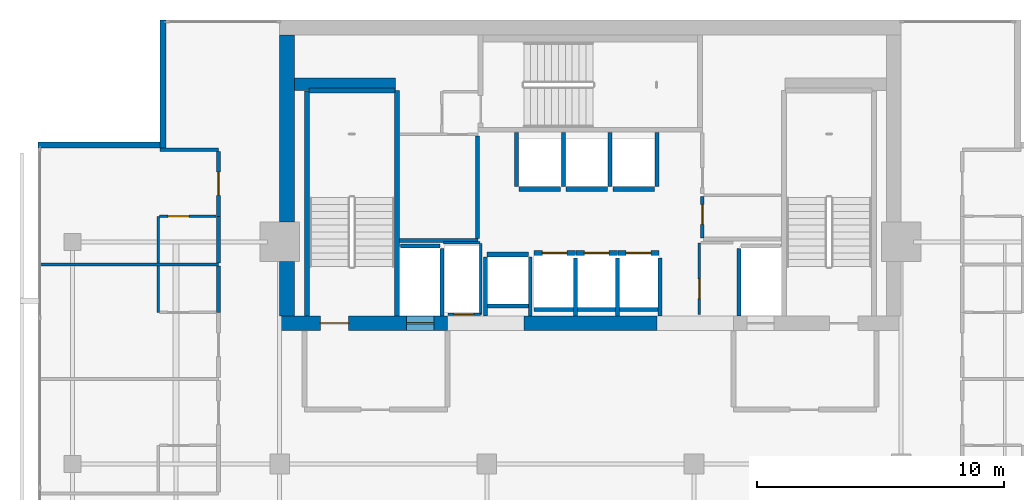
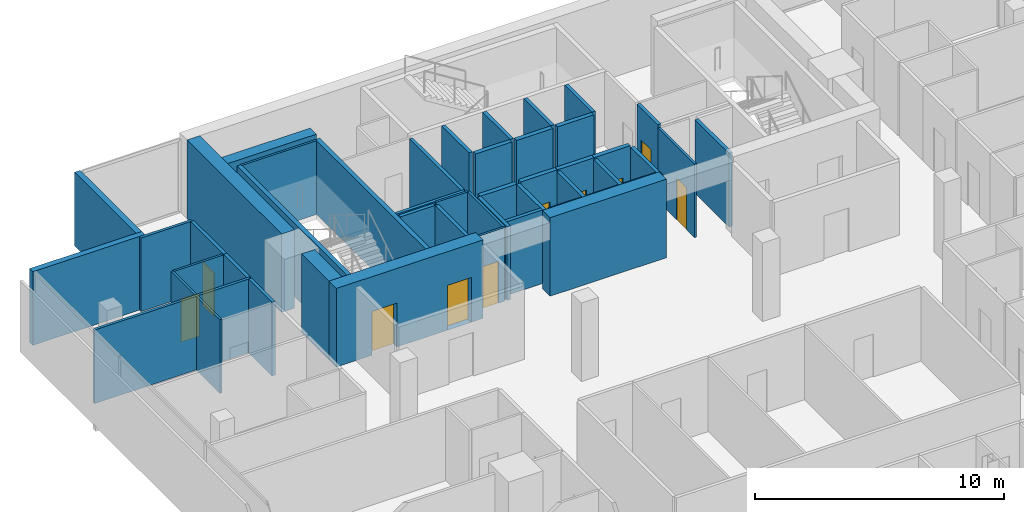
# One storey, part 22 of 26: 46 walls, 10 doors, 10 openings.
"""IFC4 building model written with IfcOpenShell, lengths in metres."""

from ifc_helpers import new_model, si_unit, direction, frame, frame_2d, origin, place, context, subcontext, project, spatial, rectangle, extrude, material, layer, layer_set, type_object, element, fill, save


model = new_model("IFC4")

# Units and contexts
model_context = context("Model", 3, precision=1e-05, world=origin(), true_north=direction((0.0, 1.0)))
body_context = subcontext(model_context, "Body", "Model", "MODEL_VIEW")
ifc_project = project(units=[si_unit("LENGTHUNIT", "METRE"), si_unit("AREAUNIT", "SQUARE_METRE"), si_unit("VOLUMEUNIT", "CUBIC_METRE"), si_unit("PLANEANGLEUNIT", "RADIAN"), si_unit("MASSUNIT", "GRAM", prefix="KILO")], contexts=[model_context])

# Site, building, storey
site_placement = place(None, origin())
site = spatial("IfcSite", under=ifc_project, at=site_placement, CompositionType="ELEMENT")
building_placement = place(site_placement, origin())
building = spatial("IfcBuilding", under=site, at=building_placement, Name="Maruvema Waterfront Hotel and Observation Tower", CompositionType="ELEMENT")
storey_placement = place(building_placement, frame((0.0, 0.0, 285.60009765625)))
storey = spatial("IfcBuildingStorey", under=building, at=storey_placement, Name="L70", CompositionType="ELEMENT", Elevation=285.60009765625)

# Walls
ifc_material_1 = material(Name="Twin-stud acoustic gypsum drywall", Category="gypsum")
ifc_layer_1 = layer(ifc_material_1, 0.14990234375, Name="Acoustic Corridor and Suite Demising Wall 150 mm")
ifc_layer_set_1 = layer_set([ifc_layer_1], Name="Twin-stud acoustic gypsum drywall")
wall_type_1 = type_object("IfcWallType", Name="Acoustic Corridor and Suite Demising Wall 150 mm", PredefinedType="PARTITIONING", material=ifc_layer_set_1)
wall_1_placement = place(storey_placement, frame((30.06005859375, 45.06005859375, 0.0), z_axis=(0.0, 0.0, 1.0), x_axis=(1.0, 0.0, 0.0)))
element("IfcWall", 1, at=wall_1_placement, inside=storey, type_object=wall_type_1, Name="L70 Freed B1 South Wall 012", PredefinedType="PARTITIONING", context=body_context, shape_type="SweptSolid", body=[
    extrude(rectangle(XDim=3.179931640625, YDim=0.14990234375, at=frame_2d((1.58984375, 0.0))), origin(), (0.0, 0.0, 1.0), 3.60986328125),
])
wall_2_placement = place(storey_placement, frame((33.219970703125, 45.139892578125, 0.0), z_axis=(0.0, 0.0, 1.0), x_axis=(0.0, 1.0, 0.0)))
element("IfcWall", 2, at=wall_2_placement, inside=storey, type_object=wall_type_1, Name="L70 Freed B1 East Wall 013", PredefinedType="PARTITIONING", context=body_context, shape_type="SweptSolid", body=[
    extrude(rectangle(XDim=4.16015625, YDim=0.14990234375, at=frame_2d((2.080078125, 0.0))), origin(), (0.0, 0.0, 1.0), 3.60986328125),
])

# Wall, opening, door
wall_3_placement = place(storey_placement, frame((42.340087890625, 45.159912109375, 0.0), z_axis=(0.0, 0.0, 1.0), x_axis=(0.0, 1.0, 0.0)))
wall_3 = element("IfcWall", 3, at=wall_3_placement, inside=storey, type_object=wall_type_1, Name="L70 Freed B2 West S 017", PredefinedType="PARTITIONING", context=body_context, shape_type="SweptSolid", body=[
    extrude(rectangle(XDim=1.68017578125, YDim=0.14990234375, at=frame_2d((0.840087890625, 0.0))), origin(), (0.0, 0.0, 1.0), 3.60986328125),
])
opening_1_placement = place(wall_3_placement, frame((0.550048828125, 0.0, 0.0)))
opening_1 = element("IfcOpeningElement", 4, at=opening_1_placement, cuts=wall_3, Name="Opening DR-080", PredefinedType="OPENING", context=body_context, shape_type="SweptSolid", body=[
    extrude(rectangle(XDim=0.800048828125, YDim=2.050048828125, at=frame_2d((0.39990234375, 1.02490234375))), frame((0.0, 0.0849609375, 0.0), z_axis=(0.0, -1.0, 0.0), x_axis=(1.0, 0.0, 0.0)), (0.0, 0.0, 1.0), 0.169921875),
])
ifc_material_2 = material(Name="Powder-coated steel access leaf", Category="steel")
door_type_1 = type_object("IfcDoorType", Name="Riser and Service Cupboard Door 800x2050 mm", OperationType="NOTDEFINED", PredefinedType="DOOR", material=ifc_material_2)
door_1_placement = place(opening_1_placement, frame((0.800048828125, 0.0, 0.0), z_axis=(0.0, 0.0, 1.0), x_axis=(-1.0, 0.0, 0.0)))
door_1 = element("IfcDoor", 5, at=door_1_placement, inside=storey, type_object=door_type_1, Name="L70 Butler Service Pantry Door", OperationType="SINGLE_SWING_RIGHT", OverallHeight=2.050048828125, OverallWidth=0.800048828125, PredefinedType="DOOR", context=body_context, shape_type="SweptSolid", body=[
    extrude(rectangle(XDim=0.800048828125, YDim=2.050048828125, at=frame_2d((0.39990234375, 1.02490234375))), frame((0.0, 0.02490234375, 0.0), z_axis=(0.0, -1.0, 0.0), x_axis=(1.0, 0.0, 0.0)), (0.0, 0.0, 1.0), 0.050048828125),
])
fill(opening_1, door_1)

# Walls
for number, where, z_axis, x_axis, name in (
    (6, (22.719970703125, 42.1416015625, 0.0), (0.0, 0.0, 1.0), (0.0, 1.0, 0.0), "L70 Bath L70-NW2 Wall 098"),
    (7, (22.719970703125, 44.151611328125, 0.0), (0.0, 0.0, 1.0), (0.0, 1.0, 0.0), "L70 Bath L70-NW3 Wall 107"),
):
    element("IfcWall", number, at=place(storey_placement, frame(where, z_axis=z_axis, x_axis=x_axis)), inside=storey, type_object=wall_type_1, Name=name, PredefinedType="PARTITIONING", context=body_context, shape_type="SweptSolid", body=[
        extrude(rectangle(XDim=1.89013671875, YDim=0.14990234375, at=frame_2d((0.945068359375, 0.0))), origin(), (0.0, 0.0, 1.0), 3.60986328125),
    ])

# Wall, opening, door
wall_4_placement = place(storey_placement, frame((22.719970703125, 46.041748046875, 0.0), z_axis=(0.0, 0.0, 1.0), x_axis=(0.0, 1.0, 0.0)))
wall_4 = element("IfcWall", 8, at=wall_4_placement, inside=storey, type_object=wall_type_1, Name="L70 Room L70-NW3 Corridor Wall 108", PredefinedType="PARTITIONING", context=body_context, shape_type="SweptSolid", body=[
    extrude(rectangle(XDim=2.6357421875, YDim=0.14990234375, at=frame_2d((1.31787109375, 0.0))), origin(), (0.0, 0.0, 1.0), 3.60986328125),
])
opening_2_placement = place(wall_4_placement, frame((0.843017578125, 0.0, 0.0)))
opening_2 = element("IfcOpeningElement", 9, at=opening_2_placement, cuts=wall_4, Name="Opening DR-095", PredefinedType="OPENING", context=body_context, shape_type="SweptSolid", body=[
    extrude(rectangle(XDim=0.949951171875, YDim=2.14990234375, at=frame_2d((0.47509765625, 1.074951171875))), frame((0.0, 0.0849609375, 0.0), z_axis=(0.0, -1.0, 0.0), x_axis=(1.0, 0.0, 0.0)), (0.0, 0.0, 1.0), 0.169921875),
])
ifc_material_3 = material(Name="Acoustic solid-core hardwood timber leaf", Category="wood")
door_type_2 = type_object("IfcDoorType", Name="Guestroom Entrance Fire Door 950x2150 mm", OperationType="NOTDEFINED", PredefinedType="DOOR", material=ifc_material_3)
door_2_placement = place(opening_2_placement, origin())
door_2 = element("IfcDoor", 10, at=door_2_placement, inside=storey, type_object=door_type_2, Name="L70 Room L70-NW3 Entrance Door", OperationType="SINGLE_SWING_LEFT", OverallHeight=2.14990234375, OverallWidth=0.949951171875, PredefinedType="DOOR", context=body_context, shape_type="SweptSolid", body=[
    extrude(rectangle(XDim=0.949951171875, YDim=2.14990234375, at=frame_2d((0.47509765625, 1.074951171875))), frame((0.0, 0.02490234375, 0.0), z_axis=(0.0, -1.0, 0.0), x_axis=(1.0, 0.0, 0.0)), (0.0, 0.0, 1.0), 0.050048828125),
])
fill(opening_2, door_2)

# Walls
ifc_material_4 = material(Name="Precast concrete C45/55", Category="concrete")
ifc_layer_2 = layer(ifc_material_4, 0.199951171875, Name="Core Shaft and Stairwell Enclosure Wall 200 mm")
ifc_layer_set_2 = layer_set([ifc_layer_2], Name="Precast concrete C45/55")
wall_type_2 = type_object("IfcWallType", Name="Core Shaft and Stairwell Enclosure Wall 200 mm", PredefinedType="SOLIDWALL", material=ifc_layer_set_2)
wall_5_placement = place(storey_placement, frame((29.949951171875, 42.0, 0.0), z_axis=(0.0, 0.0, 1.0), x_axis=(0.0, 1.0, 0.0)))
element("IfcWall", 11, at=wall_5_placement, inside=storey, type_object=wall_type_2, Name="L70 Stairwell ST-01 East Shaft Wall", PredefinedType="SOLIDWALL", context=body_context, shape_type="SweptSolid", body=[
    extrude(rectangle(XDim=9.14990234375, YDim=0.199951171875, at=frame_2d((4.574951171875, 0.0))), origin(), (0.0, 0.0, 1.0), 3.60986328125),
])
wall_6_placement = place(storey_placement, frame((26.300048828125, 42.0, 0.0), z_axis=(0.0, 0.0, 1.0), x_axis=(0.0, 1.0, 0.0)))
element("IfcWall", 12, at=wall_6_placement, inside=storey, type_object=wall_type_2, Name="L70 Stairwell ST-01 Shaft Lining Wall", PredefinedType="SOLIDWALL", context=body_context, shape_type="SweptSolid", body=[
    extrude(rectangle(XDim=9.1201171875, YDim=0.199951171875, at=frame_2d((4.56005859375, 0.0))), origin(), (0.0, 0.0, 1.0), 3.60986328125),
])
wall_7_placement = place(storey_placement, frame((26.3798828125, 51.14990234375, 0.0), z_axis=(0.0, 0.0, 1.0), x_axis=(1.0, 0.0, 0.0)))
element("IfcWall", 13, at=wall_7_placement, inside=storey, type_object=wall_type_2, Name="L70 Stairwell ST-01 Shaft Lining Wall", PredefinedType="SOLIDWALL", context=body_context, shape_type="SweptSolid", body=[
    extrude(rectangle(XDim=3.5, YDim=0.199951171875, at=frame_2d((1.75, 0.0))), origin(), (0.0, 0.0, 1.0), 3.60986328125),
])

# Wall, opening, door
wall_8_placement = place(storey_placement, frame((35.510009765625, 44.550048828125, 0.0), z_axis=(0.0, 0.0, 1.0), x_axis=(1.0, 0.0, 0.0)))
wall_8 = element("IfcWall", 14, at=wall_8_placement, inside=storey, type_object=wall_type_2, Name="L70 Lift LF-09 Hoistway Front Wall", PredefinedType="SOLIDWALL", context=body_context, shape_type="SweptSolid", body=[
    extrude(rectangle(XDim=1.679931640625, YDim=0.199951171875, at=frame_2d((0.83984375, 0.0))), origin(), (0.0, 0.0, 1.0), 3.60986328125),
])
opening_3_placement = place(wall_8_placement, frame((0.340087890625, 0.0, 0.0)))
opening_3 = element("IfcOpeningElement", 15, at=opening_3_placement, cuts=wall_8, Name="Opening LD-01", PredefinedType="OPENING", context=body_context, shape_type="SweptSolid", body=[
    extrude(rectangle(XDim=1.0, YDim=2.14990234375, at=frame_2d((0.5, 1.074951171875))), frame((0.0, 0.10986328125, 0.0), z_axis=(0.0, -1.0, 0.0), x_axis=(1.0, 0.0, 0.0)), (0.0, 0.0, 1.0), 0.219970703125),
])
ifc_material_5 = material(Name="Brushed stainless steel Grade 316", Category="steel")
door_type_3 = type_object("IfcDoorType", Name="Passenger Lift Sliding Landing Door 1000x2150 mm", OperationType="SLIDING_TO_LEFT", PredefinedType="DOOR", material=ifc_material_5)
door_3_placement = place(opening_3_placement, origin())
door_3 = element("IfcDoor", 16, at=door_3_placement, inside=storey, type_object=door_type_3, Name="L70 Lift LF-09 Sliding Landing Door", OperationType="SLIDING_TO_LEFT", OverallHeight=2.14990234375, OverallWidth=1.0, PredefinedType="DOOR", context=body_context, shape_type="SweptSolid", body=[
    extrude(rectangle(XDim=1.0, YDim=2.14990234375, at=frame_2d((0.5, 1.074951171875))), frame((0.0, 0.02490234375, 0.0), z_axis=(0.0, -1.0, 0.0), x_axis=(1.0, 0.0, 0.0)), (0.0, 0.0, 1.0), 0.050048828125),
])
fill(opening_3, door_3)

wall_9_placement = place(storey_placement, frame((37.2099609375, 44.550048828125, 0.0), z_axis=(0.0, 0.0, 1.0), x_axis=(1.0, 0.0, 0.0)))
wall_9 = element("IfcWall", 17, at=wall_9_placement, inside=storey, type_object=wall_type_2, Name="L70 Lift LF-10 Hoistway Front Wall", PredefinedType="SOLIDWALL", context=body_context, shape_type="SweptSolid", body=[
    extrude(rectangle(XDim=1.679931640625, YDim=0.199951171875, at=frame_2d((0.83984375, 0.0))), origin(), (0.0, 0.0, 1.0), 3.60986328125),
])
opening_4_placement = place(wall_9_placement, frame((0.340087890625, 0.0, 0.0)))
opening_4 = element("IfcOpeningElement", 18, at=opening_4_placement, cuts=wall_9, Name="Opening LD-01", PredefinedType="OPENING", context=body_context, shape_type="SweptSolid", body=[
    extrude(rectangle(XDim=1.0, YDim=2.14990234375, at=frame_2d((0.5, 1.074951171875))), frame((0.0, 0.10986328125, 0.0), z_axis=(0.0, -1.0, 0.0), x_axis=(1.0, 0.0, 0.0)), (0.0, 0.0, 1.0), 0.219970703125),
])
door_4_placement = place(opening_4_placement, origin())
door_4 = element("IfcDoor", 19, at=door_4_placement, inside=storey, type_object=door_type_3, Name="L70 Lift LF-10 Sliding Landing Door", OperationType="SLIDING_TO_LEFT", OverallHeight=2.14990234375, OverallWidth=1.0, PredefinedType="DOOR", context=body_context, shape_type="SweptSolid", body=[
    extrude(rectangle(XDim=1.0, YDim=2.14990234375, at=frame_2d((0.5, 1.074951171875))), frame((0.0, 0.02490234375, 0.0), z_axis=(0.0, -1.0, 0.0), x_axis=(1.0, 0.0, 0.0)), (0.0, 0.0, 1.0), 0.050048828125),
])
fill(opening_4, door_4)

wall_10_placement = place(storey_placement, frame((38.909912109375, 44.550048828125, 0.0), z_axis=(0.0, 0.0, 1.0), x_axis=(1.0, 0.0, 0.0)))
wall_10 = element("IfcWall", 20, at=wall_10_placement, inside=storey, type_object=wall_type_2, Name="L70 Lift LF-11 Hoistway Front Wall", PredefinedType="SOLIDWALL", context=body_context, shape_type="SweptSolid", body=[
    extrude(rectangle(XDim=1.68017578125, YDim=0.199951171875, at=frame_2d((0.840087890625, 0.0))), origin(), (0.0, 0.0, 1.0), 3.60986328125),
])
opening_5_placement = place(wall_10_placement, frame((0.340087890625, 0.0, 0.0)))
opening_5 = element("IfcOpeningElement", 21, at=opening_5_placement, cuts=wall_10, Name="Opening LD-01", PredefinedType="OPENING", context=body_context, shape_type="SweptSolid", body=[
    extrude(rectangle(XDim=1.0, YDim=2.14990234375, at=frame_2d((0.5, 1.074951171875))), frame((0.0, 0.10986328125, 0.0), z_axis=(0.0, -1.0, 0.0), x_axis=(1.0, 0.0, 0.0)), (0.0, 0.0, 1.0), 0.219970703125),
])
door_5_placement = place(opening_5_placement, origin())
door_5 = element("IfcDoor", 22, at=door_5_placement, inside=storey, type_object=door_type_3, Name="L70 Lift LF-11 Sliding Landing Door", OperationType="SLIDING_TO_LEFT", OverallHeight=2.14990234375, OverallWidth=1.0, PredefinedType="DOOR", context=body_context, shape_type="SweptSolid", body=[
    extrude(rectangle(XDim=1.0, YDim=2.14990234375, at=frame_2d((0.5, 1.074951171875))), frame((0.0, 0.02490234375, 0.0), z_axis=(0.0, -1.0, 0.0), x_axis=(1.0, 0.0, 0.0)), (0.0, 0.0, 1.0), 0.050048828125),
])
fill(opening_5, door_5)

# Walls
wall_11_placement = place(storey_placement, frame((34.909912109375, 47.14990234375, 0.0), z_axis=(0.0, 0.0, 1.0), x_axis=(1.0, 0.0, 0.0)))
element("IfcWall", 23, at=wall_11_placement, inside=storey, type_object=wall_type_2, Name="L70 Lift LF-12 Hoistway Front Wall", PredefinedType="SOLIDWALL", context=body_context, shape_type="SweptSolid", body=[
    extrude(rectangle(XDim=1.68017578125, YDim=0.199951171875, at=frame_2d((0.840087890625, 0.0))), origin(), (0.0, 0.0, 1.0), 3.60986328125),
])
for number, where, z_axis, x_axis, name in (
    (24, (36.81005859375, 47.14990234375, 0.0), (0.0, 0.0, 1.0), (1.0, 0.0, 0.0), "L70 Lift LF-13 Hoistway Front Wall"),
    (25, (38.7099609375, 47.14990234375, 0.0), (0.0, 0.0, 1.0), (1.0, 0.0, 0.0), "L70 Lift LF-14 Hoistway Front Wall"),
    (26, (33.610107421875, 44.5, 0.0), (0.0, 0.0, 1.0), (1.0, 0.0, 0.0), "L70 Lift LF-15 Hoistway Front Wall"),
):
    element("IfcWall", number, at=place(storey_placement, frame(where, z_axis=z_axis, x_axis=x_axis)), inside=storey, type_object=wall_type_2, Name=name, PredefinedType="SOLIDWALL", context=body_context, shape_type="SweptSolid", body=[
        extrude(rectangle(XDim=1.679931640625, YDim=0.199951171875, at=frame_2d((0.83984375, 0.0))), origin(), (0.0, 0.0, 1.0), 3.60986328125),
    ])
ifc_material_6 = material(Name="Concrete C70/85", Category="concrete")
ifc_layer_3 = layer(ifc_material_6, 0.5, Name="Core Shear Wall 500 mm")
ifc_layer_set_3 = layer_set([ifc_layer_3], Name="Concrete C70/85")
wall_type_3 = type_object("IfcWallType", Name="Core Shear Wall 500 mm", PredefinedType="SHEAR", material=ifc_layer_set_3)
wall_12_placement = place(storey_placement, frame((25.800048828125, 51.39990234375, 0.0), z_axis=(0.0, 0.0, 1.0), x_axis=(1.0, 0.0, 0.0)))
element("IfcWall", 27, at=wall_12_placement, inside=storey, type_object=wall_type_3, Name="L70 Internal Core Shear Wall NW 500 mm", PredefinedType="SHEAR", context=body_context, shape_type="SweptSolid", body=[
    extrude(rectangle(XDim=4.099853515625, YDim=0.5, at=frame_2d((2.0498046875, 0.0))), origin(), (0.0, 0.0, 1.0), 3.849853515625),
])

# Wall, openings, doors
ifc_material_7 = material(Name="Concrete C60/75", Category="concrete")
ifc_layer_4 = layer(ifc_material_7, 0.60009765625, Name="Core Shear Wall 600 mm")
ifc_layer_set_4 = layer_set([ifc_layer_4], Name="Concrete C60/75")
wall_type_4 = type_object("IfcWallType", Name="Core Shear Wall 600 mm", PredefinedType="SHEAR", material=ifc_layer_set_4)
wall_13_placement = place(storey_placement, frame((25.199951171875, 41.699951171875, 0.0), z_axis=(0.0, 0.0, 1.0), x_axis=(1.0, 0.0, 0.0)))
wall_13 = element("IfcWall", 28, at=wall_13_placement, inside=storey, type_object=wall_type_4, Name="L70 South-West Core Shear Wall", PredefinedType="SHEAR", context=body_context, shape_type="SweptSolid", body=[
    extrude(rectangle(XDim=6.800048828125, YDim=0.60009765625, at=frame_2d((3.39990234375, 0.0))), origin(), (0.0, 0.0, 1.0), 3.849853515625),
])
opening_6_placement = place(wall_13_placement, frame((1.64990234375, 0.0, 0.0)))
opening_6 = element("IfcOpeningElement", 29, at=opening_6_placement, cuts=wall_13, Name="Opening SD-01", PredefinedType="OPENING", context=body_context, shape_type="SweptSolid", body=[
    extrude(rectangle(XDim=1.14990234375, YDim=2.14990234375, at=frame_2d((0.574951171875, 1.074951171875))), frame((0.0, 0.31005859375, 0.0), z_axis=(0.0, -1.0, 0.0), x_axis=(1.0, 0.0, 0.0)), (0.0, 0.0, 1.0), 0.6201171875),
])
opening_7_placement = place(wall_13_placement, frame((5.14990234375, 0.0, 0.0)))
opening_7 = element("IfcOpeningElement", 30, at=opening_7_placement, cuts=wall_13, Name="Opening LD-03", PredefinedType="OPENING", context=body_context, shape_type="SweptSolid", body=[
    extrude(rectangle(XDim=1.10009765625, YDim=2.199951171875, at=frame_2d((0.550048828125, 1.10009765625))), frame((0.0, 0.31005859375, 0.0), z_axis=(0.0, -1.0, 0.0), x_axis=(1.0, 0.0, 0.0)), (0.0, 0.0, 1.0), 0.6201171875),
])
ifc_material_8 = material(Name="Fire-rated galvanised steel leaf", Category="steel")
door_type_4 = type_object("IfcDoorType", Name="Exit Stair Fire Door 1150x2150 mm", OperationType="NOTDEFINED", PredefinedType="DOOR", material=ifc_material_8)
door_6_placement = place(opening_6_placement, origin())
door_6 = element("IfcDoor", 31, at=door_6_placement, inside=storey, type_object=door_type_4, Name="L70 Exit Stair ST-01 Fire Door", OperationType="SINGLE_SWING_LEFT", OverallHeight=2.14990234375, OverallWidth=1.14990234375, PredefinedType="DOOR", context=body_context, shape_type="SweptSolid", body=[
    extrude(rectangle(XDim=1.14990234375, YDim=2.14990234375, at=frame_2d((0.574951171875, 1.074951171875))), frame((0.0, 0.02490234375, 0.0), z_axis=(0.0, -1.0, 0.0), x_axis=(1.0, 0.0, 0.0)), (0.0, 0.0, 1.0), 0.050048828125),
])
fill(opening_6, door_6)
ifc_material_9 = material(Name="Brushed stainless steel Grade 316", Category="steel")
door_type_5 = type_object("IfcDoorType", Name="Firefighting Lift Sliding Landing Door 1100x2200 mm", OperationType="SLIDING_TO_LEFT", PredefinedType="DOOR", material=ifc_material_9)
door_7_placement = place(opening_7_placement, frame((1.10009765625, 0.0, 0.0), z_axis=(0.0, 0.0, 1.0), x_axis=(-1.0, 0.0, 0.0)))
door_7 = element("IfcDoor", 32, at=door_7_placement, inside=storey, type_object=door_type_5, Name="L70 Firefighting Lift FL-01 Landing Door", OperationType="SLIDING_TO_LEFT", OverallHeight=2.199951171875, OverallWidth=1.10009765625, PredefinedType="DOOR", context=body_context, shape_type="SweptSolid", body=[
    extrude(rectangle(XDim=1.10009765625, YDim=2.199951171875, at=frame_2d((0.550048828125, 1.10009765625))), frame((0.0, 0.02490234375, 0.0), z_axis=(0.0, -1.0, 0.0), x_axis=(1.0, 0.0, 0.0)), (0.0, 0.0, 1.0), 0.050048828125),
])
fill(opening_7, door_7)

# Walls
wall_14_placement = place(storey_placement, frame((35.10009765625, 41.699951171875, 0.0), z_axis=(0.0, 0.0, 1.0), x_axis=(1.0, 0.0, 0.0)))
element("IfcWall", 33, at=wall_14_placement, inside=storey, type_object=wall_type_4, Name="L70 South-Central Core Shear Wall", PredefinedType="SHEAR", context=body_context, shape_type="SweptSolid", body=[
    extrude(rectangle(XDim=5.39990234375, YDim=0.60009765625, at=frame_2d((2.699951171875, 0.0))), origin(), (0.0, 0.0, 1.0), 3.849853515625),
])
wall_15_placement = place(storey_placement, frame((25.5, 42.0, 0.0), z_axis=(0.0, 0.0, 1.0), x_axis=(0.0, 1.0, 0.0)))
element("IfcWall", 34, at=wall_15_placement, inside=storey, type_object=wall_type_4, Name="L70 West-South Core Shear Wall", PredefinedType="SHEAR", context=body_context, shape_type="SweptSolid", body=[
    extrude(rectangle(XDim=2.199951171875, YDim=0.60009765625, at=frame_2d((1.10009765625, 0.0))), origin(), (0.0, 0.0, 1.0), 3.849853515625),
])
wall_16_placement = place(storey_placement, frame((25.5, 45.800048828125, 0.0), z_axis=(0.0, 0.0, 1.0), x_axis=(0.0, 1.0, 0.0)))
element("IfcWall", 35, at=wall_16_placement, inside=storey, type_object=wall_type_4, Name="L70 West-North Core Shear Wall", PredefinedType="SHEAR", context=body_context, shape_type="SweptSolid", body=[
    extrude(rectangle(XDim=7.599853515625, YDim=0.60009765625, at=frame_2d((3.7998046875, 0.0))), origin(), (0.0, 0.0, 1.0), 3.849853515625),
])

# Wall, opening, door
ifc_material_10 = material(Name="Moisture-resistant cement-board drywall", Category="gypsum")
ifc_layer_5 = layer(ifc_material_10, 0.10009765625, Name="En-Suite Moisture-Resistant Partition 100 mm")
ifc_layer_set_5 = layer_set([ifc_layer_5], Name="Moisture-resistant cement-board drywall")
wall_type_5 = type_object("IfcWallType", Name="En-Suite Moisture-Resistant Partition 100 mm", PredefinedType="PARTITIONING", material=ifc_layer_set_5)
wall_17_placement = place(storey_placement, frame((32.02001953125, 42.06005859375, 0.0), z_axis=(0.0, 0.0, 1.0), x_axis=(1.0, 0.0, 0.0)))
wall_17 = element("IfcWall", 36, at=wall_17_placement, inside=storey, type_object=wall_type_5, Name="L70 Telecom Riser South Wall 007", PredefinedType="PARTITIONING", context=body_context, shape_type="SweptSolid", body=[
    extrude(rectangle(XDim=1.320068359375, YDim=0.10009765625, at=frame_2d((0.66015625, 0.0))), origin(), (0.0, 0.0, 1.0), 3.60986328125),
])
opening_8_placement = place(wall_17_placement, frame((0.239990234375, 0.0, 0.0)))
opening_8 = element("IfcOpeningElement", 37, at=opening_8_placement, cuts=wall_17, Name="Opening DR-080", PredefinedType="OPENING", context=body_context, shape_type="SweptSolid", body=[
    extrude(rectangle(XDim=0.800048828125, YDim=2.050048828125, at=frame_2d((0.39990234375, 1.02490234375))), frame((0.0, 0.06005859375, 0.0), z_axis=(0.0, -1.0, 0.0), x_axis=(1.0, 0.0, 0.0)), (0.0, 0.0, 1.0), 0.1201171875),
])
door_8_placement = place(opening_8_placement, frame((0.800048828125, 0.0, 0.0), z_axis=(0.0, 0.0, 1.0), x_axis=(-1.0, 0.0, 0.0)))
door_8 = element("IfcDoor", 38, at=door_8_placement, inside=storey, type_object=door_type_1, Name="L70 Telecom Riser Door", OperationType="SINGLE_SWING_RIGHT", OverallHeight=2.050048828125, OverallWidth=0.800048828125, PredefinedType="DOOR", context=body_context, shape_type="SweptSolid", body=[
    extrude(rectangle(XDim=0.800048828125, YDim=2.050048828125, at=frame_2d((0.39990234375, 1.02490234375))), frame((0.0, 0.02490234375, 0.0), z_axis=(0.0, -1.0, 0.0), x_axis=(1.0, 0.0, 0.0)), (0.0, 0.0, 1.0), 0.050048828125),
])
fill(opening_8, door_8)

# Walls
wall_18_placement = place(storey_placement, frame((31.840087890625, 44.9599609375, 0.0), z_axis=(0.0, 0.0, 1.0), x_axis=(1.0, 0.0, 0.0)))
element("IfcWall", 39, at=wall_18_placement, inside=storey, type_object=wall_type_5, Name="L70 Telecom Riser North Wall 008", PredefinedType="PARTITIONING", context=body_context, shape_type="SweptSolid", body=[
    extrude(rectangle(XDim=1.47998046875, YDim=0.10009765625, at=frame_2d((0.739990234375, 0.0))), origin(), (0.0, 0.0, 1.0), 3.60986328125),
])
wall_19_placement = place(storey_placement, frame((33.360107421875, 42.06005859375, 0.0), z_axis=(0.0, 0.0, 1.0), x_axis=(0.0, 1.0, 0.0)))
element("IfcWall", 40, at=wall_19_placement, inside=storey, type_object=wall_type_5, Name="L70 Telecom Riser East Wall 009", PredefinedType="PARTITIONING", context=body_context, shape_type="SweptSolid", body=[
    extrude(rectangle(XDim=2.8798828125, YDim=0.10009765625, at=frame_2d((1.43994140625, 0.0))), origin(), (0.0, 0.0, 1.0), 3.60986328125),
])

# Wall, opening, door
wall_20_placement = place(storey_placement, frame((42.219970703125, 42.050048828125, 0.0), z_axis=(0.0, 0.0, 1.0), x_axis=(0.0, 1.0, 0.0)))
wall_20 = element("IfcWall", 41, at=wall_20_placement, inside=storey, type_object=wall_type_5, Name="L70 Core Closet K1 West 010", PredefinedType="PARTITIONING", context=body_context, shape_type="SweptSolid", body=[
    extrude(rectangle(XDim=2.909912109375, YDim=0.10009765625, at=frame_2d((1.455078125, 0.0))), origin(), (0.0, 0.0, 1.0), 3.60986328125),
])
opening_9_placement = place(wall_20_placement, frame((0.64990234375, 0.0, 0.0)))
opening_9 = element("IfcOpeningElement", 42, at=opening_9_placement, cuts=wall_20, Name="Opening DR-080", PredefinedType="OPENING", context=body_context, shape_type="SweptSolid", body=[
    extrude(rectangle(XDim=0.800048828125, YDim=2.050048828125, at=frame_2d((0.39990234375, 1.02490234375))), frame((0.0, 0.06005859375, 0.0), z_axis=(0.0, -1.0, 0.0), x_axis=(1.0, 0.0, 0.0)), (0.0, 0.0, 1.0), 0.1201171875),
])
door_9_placement = place(opening_9_placement, frame((0.800048828125, 0.0, 0.0), z_axis=(0.0, 0.0, 1.0), x_axis=(-1.0, 0.0, 0.0)))
door_9 = element("IfcDoor", 43, at=door_9_placement, inside=storey, type_object=door_type_1, Name="L70 Core Cleaning Store Door", OperationType="SINGLE_SWING_LEFT", OverallHeight=2.050048828125, OverallWidth=0.800048828125, PredefinedType="DOOR", context=body_context, shape_type="SweptSolid", body=[
    extrude(rectangle(XDim=0.800048828125, YDim=2.050048828125, at=frame_2d((0.39990234375, 1.02490234375))), frame((0.0, 0.02490234375, 0.0), z_axis=(0.0, -1.0, 0.0), x_axis=(1.0, 0.0, 0.0)), (0.0, 0.0, 1.0), 0.050048828125),
])
fill(opening_9, door_9)

# Walls
for number, where, z_axis, x_axis, name in (
    (44, (20.27001953125, 42.1416015625, 0.0), (0.0, 0.0, 1.0), (0.0, 1.0, 0.0), "L70 En-Suite L70-NW2 W 099"),
    (45, (20.27001953125, 44.151611328125, 0.0), (0.0, 0.0, 1.0), (0.0, 1.0, 0.0), "L70 En-Suite L70-NW3 W 109"),
):
    element("IfcWall", number, at=place(storey_placement, frame(where, z_axis=z_axis, x_axis=x_axis)), inside=storey, type_object=wall_type_5, Name=name, PredefinedType="PARTITIONING", context=body_context, shape_type="SweptSolid", body=[
        extrude(rectangle(XDim=1.89013671875, YDim=0.10009765625, at=frame_2d((0.945068359375, 0.0))), origin(), (0.0, 0.0, 1.0), 3.60986328125),
    ])

# Wall, opening, door
wall_21_placement = place(storey_placement, frame((20.320068359375, 46.041748046875, 0.0), z_axis=(0.0, 0.0, 1.0), x_axis=(1.0, 0.0, 0.0)))
wall_21 = element("IfcWall", 46, at=wall_21_placement, inside=storey, type_object=wall_type_5, Name="L70 En-Suite L70-NW3 N 110", PredefinedType="PARTITIONING", context=body_context, shape_type="SweptSolid", body=[
    extrude(rectangle(XDim=2.300048828125, YDim=0.10009765625, at=frame_2d((1.14990234375, 0.0))), origin(), (0.0, 0.0, 1.0), 3.60986328125),
])
opening_10_placement = place(wall_21_placement, frame((0.35009765625, 0.0, 0.0)))
opening_10 = element("IfcOpeningElement", 47, at=opening_10_placement, cuts=wall_21, Name="Opening DR-085", PredefinedType="OPENING", context=body_context, shape_type="SweptSolid", body=[
    extrude(rectangle(XDim=0.85009765625, YDim=2.10009765625, at=frame_2d((0.425048828125, 1.050048828125))), frame((0.0, 0.06005859375, 0.0), z_axis=(0.0, -1.0, 0.0), x_axis=(1.0, 0.0, 0.0)), (0.0, 0.0, 1.0), 0.1201171875),
])
ifc_material_11 = material(Name="Moisture-resistant solid timber leaf", Category="wood")
door_type_6 = type_object("IfcDoorType", Name="En-Suite Bathroom Door 850x2100 mm", OperationType="NOTDEFINED", PredefinedType="DOOR", material=ifc_material_11)
door_10_placement = place(opening_10_placement, origin())
door_10 = element("IfcDoor", 48, at=door_10_placement, inside=storey, type_object=door_type_6, Name="L70 En-Suite L70-NW3 Door", OperationType="SINGLE_SWING_RIGHT", OverallHeight=2.10009765625, OverallWidth=0.85009765625, PredefinedType="DOOR", context=body_context, shape_type="SweptSolid", body=[
    extrude(rectangle(XDim=0.85009765625, YDim=2.10009765625, at=frame_2d((0.425048828125, 1.050048828125))), frame((0.0, 0.02490234375, 0.0), z_axis=(0.0, -1.0, 0.0), x_axis=(1.0, 0.0, 0.0)), (0.0, 0.0, 1.0), 0.050048828125),
])
fill(opening_10, door_10)

# Walls
ifc_material_12 = material(Name="Precast concrete C45/55 with honed Pernambuco granite facing", Category="masonry")
ifc_layer_6 = layer(ifc_material_12, 0.260009765625, Name="Exterior Granite Clad Spandrel and Pier Wall 260 mm")
ifc_layer_set_6 = layer_set([ifc_layer_6], Name="Precast concrete C45/55 with honed Pernambuco granite facing")
wall_type_6 = type_object("IfcWallType", Name="Exterior Granite Clad Spandrel and Pier Wall 260 mm", PredefinedType="SOLIDWALL", material=ifc_layer_set_6)
wall_22_placement = place(storey_placement, frame((20.469970703125, 48.800048828125, 0.0), z_axis=(0.0, 0.0, 1.0), x_axis=(0.0, 1.0, 0.0)))
element("IfcWall", 49, at=wall_22_placement, inside=storey, type_object=wall_type_6, Name="L70 Corner Notch Granite Pier Wall NW1", PredefinedType="SOLIDWALL", context=body_context, shape_type="SweptSolid", body=[
    extrude(rectangle(XDim=5.199951171875, YDim=0.260009765625, at=frame_2d((2.60009765625, 0.0))), origin(), (0.0, 0.0, 1.0), 3.60986328125),
])
wall_23_placement = place(storey_placement, frame((15.39990234375, 48.929931640625, 0.0), z_axis=(0.0, 0.0, 1.0), x_axis=(1.0, 0.0, 0.0)))
element("IfcWall", 50, at=wall_23_placement, inside=storey, type_object=wall_type_6, Name="L70 Corner Notch Granite Pier Wall NW2", PredefinedType="SOLIDWALL", context=body_context, shape_type="SweptSolid", body=[
    extrude(rectangle(XDim=5.2001953125, YDim=0.260009765625, at=frame_2d((2.60009765625, 0.0))), origin(), (0.0, 0.0, 1.0), 3.60986328125),
])
ifc_material_13 = material(Name="Acoustic gypsum plasterboard drywall", Category="gypsum")
ifc_layer_7 = layer(ifc_material_13, 0.125, Name="Guestroom Acoustic Demising Wall 125 mm")
ifc_layer_set_7 = layer_set([ifc_layer_7], Name="Acoustic gypsum plasterboard drywall")
wall_type_7 = type_object("IfcWallType", Name="Guestroom Acoustic Demising Wall 125 mm", PredefinedType="PARTITIONING", material=ifc_layer_set_7)
wall_24_placement = place(storey_placement, frame((20.340087890625, 48.737548828125, 0.0), z_axis=(0.0, 0.0, 1.0), x_axis=(1.0, 0.0, 0.0)))
element("IfcWall", 51, at=wall_24_placement, inside=storey, type_object=wall_type_7, Name="L70 Z3 NW Top End 085", PredefinedType="PARTITIONING", context=body_context, shape_type="SweptSolid", body=[
    extrude(rectangle(XDim=2.3798828125, YDim=0.125, at=frame_2d((1.18994140625, 0.0))), origin(), (0.0, 0.0, 1.0), 3.60986328125),
])
wall_25_placement = place(storey_placement, frame((15.5, 44.091796875, 0.0), z_axis=(0.0, 0.0, 1.0), x_axis=(1.0, 0.0, 0.0)))
element("IfcWall", 52, at=wall_25_placement, inside=storey, type_object=wall_type_7, Name="L70 Z3 NW Demising 3 105", PredefinedType="PARTITIONING", context=body_context, shape_type="SweptSolid", body=[
    extrude(rectangle(XDim=7.219970703125, YDim=0.125, at=frame_2d((3.60986328125, 0.0))), origin(), (0.0, 0.0, 1.0), 3.60986328125),
])
ifc_material_14 = material(Name="Precast concrete C45/55", Category="concrete")
ifc_layer_8 = layer(ifc_material_14, 0.159912109375, Name="Lift Hoistway Divider Wall 160 mm")
ifc_layer_set_8 = layer_set([ifc_layer_8], Name="Precast concrete C45/55")
wall_type_8 = type_object("IfcWallType", Name="Lift Hoistway Divider Wall 160 mm", PredefinedType="SOLIDWALL", material=ifc_layer_set_8)
wall_26_placement = place(storey_placement, frame((30.10009765625, 44.830078125, 0.0), z_axis=(0.0, 0.0, 1.0), x_axis=(1.0, 0.0, 0.0)))
element("IfcWall", 53, at=wall_26_placement, inside=storey, type_object=wall_type_8, Name="L70 Lift FL-01 Rear Hoistway Wall", PredefinedType="SOLIDWALL", context=body_context, shape_type="SweptSolid", body=[
    extrude(rectangle(XDim=1.599853515625, YDim=0.159912109375, at=frame_2d((0.7998046875, 0.0))), origin(), (0.0, 0.0, 1.0), 3.60986328125),
])
for number, where, z_axis, x_axis, name in (
    (54, (31.780029296875, 42.0, 0.0), (0.0, 0.0, 1.0), (0.0, 1.0, 0.0), "L70 Lift FL-01 Inner Hoistway Wall"),
    (55, (43.820068359375, 42.0, 0.0), (0.0, 0.0, 1.0), (0.0, 1.0, 0.0), "L70 Lift FL-02 Inner Hoistway Wall"),
):
    element("IfcWall", number, at=place(storey_placement, frame(where, z_axis=z_axis, x_axis=x_axis)), inside=storey, type_object=wall_type_8, Name=name, PredefinedType="SOLIDWALL", context=body_context, shape_type="SweptSolid", body=[
        extrude(rectangle(XDim=2.739990234375, YDim=0.159912109375, at=frame_2d((1.3701171875, 0.0))), origin(), (0.0, 0.0, 1.0), 3.60986328125),
    ])
for number, where, z_axis, x_axis, name in (
    (56, (37.199951171875, 42.0, 0.0), (0.0, 0.0, 1.0), (0.0, 1.0, 0.0), "L70 Hoistway Divider Wall"),
    (57, (38.89990234375, 42.0, 0.0), (0.0, 0.0, 1.0), (0.0, 1.0, 0.0), "L70 Hoistway Divider Wall"),
    (58, (40.6201171875, 42.0, 0.0), (0.0, 0.0, 1.0), (0.0, 1.0, 0.0), "L70 Hoistway Divider Wall"),
):
    element("IfcWall", number, at=place(storey_placement, frame(where, z_axis=z_axis, x_axis=x_axis)), inside=storey, type_object=wall_type_8, Name=name, PredefinedType="SOLIDWALL", context=body_context, shape_type="SweptSolid", body=[
        extrude(rectangle(XDim=2.35009765625, YDim=0.159912109375, at=frame_2d((1.175048828125, 0.0))), origin(), (0.0, 0.0, 1.0), 3.60986328125),
    ])
wall_27_placement = place(storey_placement, frame((35.52001953125, 42.260009765625, 0.0), z_axis=(0.0, 0.0, 1.0), x_axis=(1.0, 0.0, 0.0)))
element("IfcWall", 59, at=wall_27_placement, inside=storey, type_object=wall_type_8, Name="L70 Hoistway Divider Wall", PredefinedType="SOLIDWALL", context=body_context, shape_type="SweptSolid", body=[
    extrude(rectangle(XDim=5.02001953125, YDim=0.159912109375, at=frame_2d((2.510009765625, 0.0))), origin(), (0.0, 0.0, 1.0), 3.60986328125),
])
for number, where, z_axis, x_axis, name in (
    (60, (34.800048828125, 47.25, 0.0), (0.0, 0.0, 1.0), (0.0, 1.0, 0.0), "L70 Hoistway Divider Wall"),
    (61, (36.699951171875, 47.25, 0.0), (0.0, 0.0, 1.0), (0.0, 1.0, 0.0), "L70 Hoistway Divider Wall"),
    (62, (38.60009765625, 47.25, 0.0), (0.0, 0.0, 1.0), (0.0, 1.0, 0.0), "L70 Hoistway Divider Wall"),
    (63, (40.5, 47.25, 0.0), (0.0, 0.0, 1.0), (0.0, 1.0, 0.0), "L70 Hoistway Divider Wall"),
):
    element("IfcWall", number, at=place(storey_placement, frame(where, z_axis=z_axis, x_axis=x_axis)), inside=storey, type_object=wall_type_8, Name=name, PredefinedType="SOLIDWALL", context=body_context, shape_type="SweptSolid", body=[
        extrude(rectangle(XDim=2.18994140625, YDim=0.159912109375, at=frame_2d((1.094970703125, 0.0))), origin(), (0.0, 0.0, 1.0), 3.60986328125),
    ])
for number, where, z_axis, x_axis, name in (
    (64, (33.5400390625, 42.0, 0.0), (0.0, 0.0, 1.0), (0.0, 1.0, 0.0), "L70 Hoistway Divider Wall"),
    (65, (35.360107421875, 42.0, 0.0), (0.0, 0.0, 1.0), (0.0, 1.0, 0.0), "L70 Hoistway Divider Wall"),
):
    element("IfcWall", number, at=place(storey_placement, frame(where, z_axis=z_axis, x_axis=x_axis)), inside=storey, type_object=wall_type_8, Name=name, PredefinedType="SOLIDWALL", context=body_context, shape_type="SweptSolid", body=[
        extrude(rectangle(XDim=2.39990234375, YDim=0.159912109375, at=frame_2d((1.199951171875, 0.0))), origin(), (0.0, 0.0, 1.0), 3.60986328125),
    ])
wall_28_placement = place(storey_placement, frame((33.6201171875, 42.39990234375, 0.0), z_axis=(0.0, 0.0, 1.0), x_axis=(1.0, 0.0, 0.0)))
element("IfcWall", 66, at=wall_28_placement, inside=storey, type_object=wall_type_8, Name="L70 Hoistway Divider Wall", PredefinedType="SOLIDWALL", context=body_context, shape_type="SweptSolid", body=[
    extrude(rectangle(XDim=1.659912109375, YDim=0.159912109375, at=frame_2d((0.830078125, 0.0))), origin(), (0.0, 0.0, 1.0), 3.60986328125),
])

save(model, "model.ifc")
